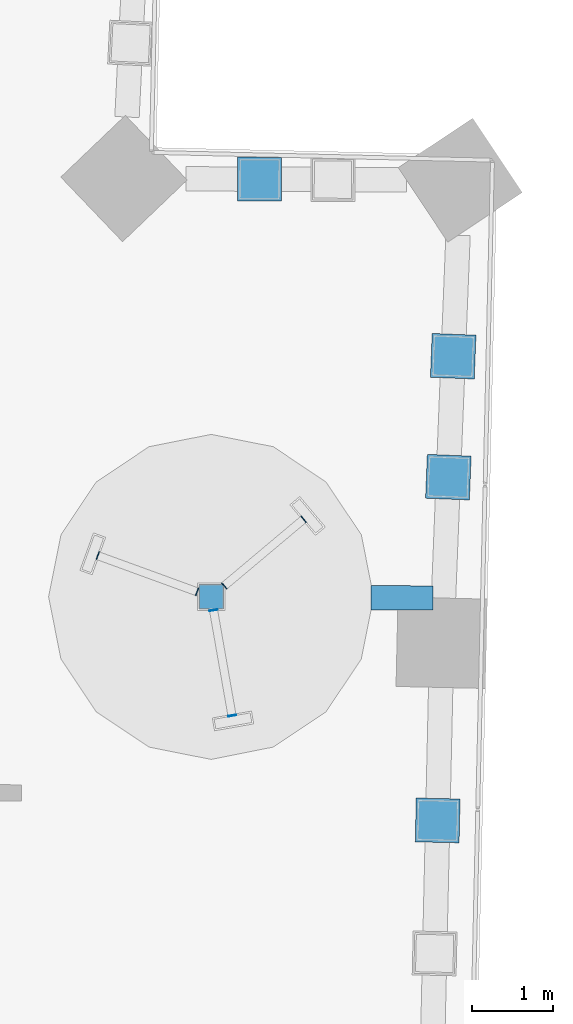
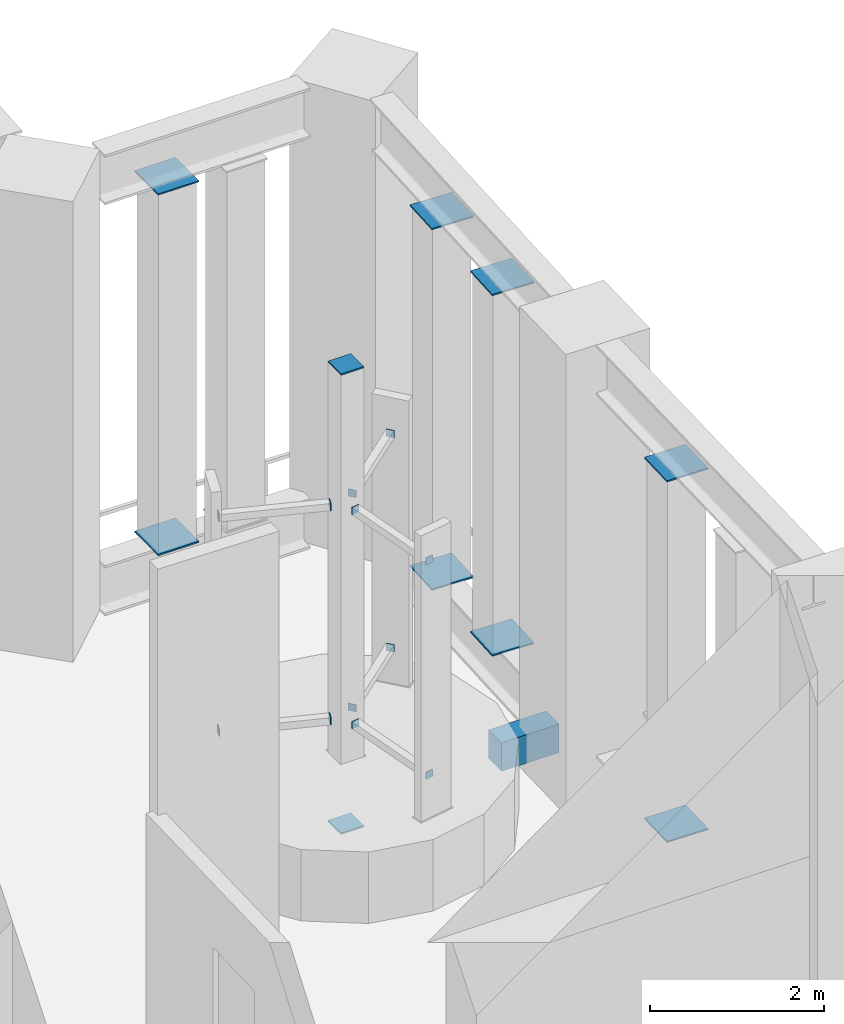
# One storey, part 26 of 33: 23 discrete accessories.
"""IFC4 building model written with IfcOpenShell, lengths in metres."""

from ifc_helpers import new_model, si_unit, direction, frame, origin, origin_2d, place, context, subcontext, project, spatial, rectangle, extrude, material, layer, layer_set, type_object, element, save


model = new_model("IFC4")

# Units and contexts
model_context = context("Model", 3, precision=1e-05, world=origin(), true_north=direction((0.0, 1.0)))
body_context = subcontext(model_context, "Body", "Model", "MODEL_VIEW")
ifc_project = project(units=[si_unit("LENGTHUNIT", "METRE"), si_unit("AREAUNIT", "SQUARE_METRE"), si_unit("VOLUMEUNIT", "CUBIC_METRE"), si_unit("PLANEANGLEUNIT", "RADIAN"), si_unit("MASSUNIT", "GRAM", prefix="KILO")], contexts=[model_context])

# Site, building, storey
site_placement = place(None, origin())
site = spatial("IfcSite", under=ifc_project, at=site_placement, CompositionType="ELEMENT")
building_placement = place(site_placement, origin())
building = spatial("IfcBuilding", under=site, at=building_placement, Name="Mangrove Gate Tower", CompositionType="ELEMENT")
storey_placement = place(building_placement, frame((0.0, 0.0, 219.5)))
storey = spatial("IfcBuildingStorey", under=building, at=storey_placement, Name="L56", CompositionType="ELEMENT", Elevation=219.5)

# Discrete accessories
ifc_material_1 = material(Name="Steel S355J2H", Category="steel")
ifc_layer_1 = layer(ifc_material_1, 0.010009765625)
ifc_layer_set_1 = layer_set([ifc_layer_1], Name="Arm end plate 100x100x10")
discrete_accessory_type_1 = type_object("IfcDiscreteAccessoryType", Name="Arm end plate 100x100x10", PredefinedType="ANCHORPLATE", material=ifc_layer_set_1)
for number, where, z_axis, x_axis, name in (
    (1, (21.3310546875, 14.658935546875, 1.449951171875), (0.0, 0.0, 1.0), (0.766044443119, 0.642787609687, 0.0), "END PLATE ARM L56 9.1.1 MAST"),
    (2, (22.30810546875, 15.47900390625, 1.449951171875), (0.0, 0.0, 1.0), (0.766044443119, 0.642787609687, 0.0), "END PLATE ARM L56 9.1.1 FIN"),
    (3, (21.3310546875, 14.658935546875, 4.449951171875), (0.0, 0.0, 1.0), (0.766044443119, 0.642787609687, 0.0), "END PLATE ARM L56 9.1.2 MAST"),
    (4, (22.30810546875, 15.47900390625, 4.449951171875), (0.0, 0.0, 1.0), (0.766044443119, 0.642787609687, 0.0), "END PLATE ARM L56 9.1.2 FIN"),
    (5, (20.9970703125, 14.5869140625, 1.449951171875), (0.0, 0.0, 1.0), (-0.939692620786, 0.342020143326, 0.0), "END PLATE ARM L56 9.2.1 MAST"),
    (6, (19.77490234375, 15.031982421875, 1.449951171875), (0.0, 0.0, 1.0), (-0.939692620786, 0.342020143326, 0.0), "END PLATE ARM L56 9.2.1 FIN"),
    (7, (20.9970703125, 14.5869140625, 4.449951171875), (0.0, 0.0, 1.0), (-0.939692620786, 0.342020143326, 0.0), "END PLATE ARM L56 9.2.2 MAST"),
    (8, (19.77490234375, 15.031982421875, 4.449951171875), (0.0, 0.0, 1.0), (-0.939692620786, 0.342020143326, 0.0), "END PLATE ARM L56 9.2.2 FIN"),
    (9, (21.198974609375, 14.360107421875, 1.449951171875), (0.0, 0.0, 1.0), (0.173648177667, -0.984807753012, 0.0), "END PLATE ARM L56 9.3.1 MAST"),
    (10, (21.427978515625, 13.06201171875, 1.449951171875), (0.0, 0.0, 1.0), (0.173648177667, -0.984807753012, 0.0), "END PLATE ARM L56 9.3.1 FIN"),
    (11, (21.198974609375, 14.360107421875, 4.449951171875), (0.0, 0.0, 1.0), (0.173648177667, -0.984807753012, 0.0), "END PLATE ARM L56 9.3.2 MAST"),
    (12, (21.427978515625, 13.06201171875, 4.449951171875), (0.0, 0.0, 1.0), (0.173648177667, -0.984807753012, 0.0), "END PLATE ARM L56 9.3.2 FIN"),
):
    element("IfcDiscreteAccessory", number, at=place(storey_placement, frame(where, z_axis=z_axis, x_axis=x_axis)), inside=storey, type_object=discrete_accessory_type_1, Name=name, PredefinedType="ANCHORPLATE", context=body_context, shape_type="SweptSolid", body=[
        extrude(rectangle(XDim=0.010009765625, YDim=0.10009765625, at=origin_2d()), origin(), (0.0, 0.0, 1.0), 0.10009765625),
    ])
ifc_material_2 = material(Name="Steel S355J2H", Category="steel")
ifc_layer_2 = layer(ifc_material_2, 0.02001953125)
ifc_layer_set_2 = layer_set([ifc_layer_2], Name="Belt truss end plate 540x540x20")
discrete_accessory_type_2 = type_object("IfcDiscreteAccessoryType", Name="Belt truss end plate 540x540x20", PredefinedType="ANCHORPLATE", material=ifc_layer_set_2)
for number, where, z_axis, x_axis, name in (
    (13, (23.958251953125, 11.77294921875, 0.68994140625), (0.0, 0.0, 1.0), (0.022789461282, 0.999740286502, 0.0), "Belt truss end plate L56 15-2 bottom"),
    (14, (23.958251953125, 11.77294921875, 5.739990234375), (0.0, 0.0, 1.0), (0.022789461282, 0.999740286502, 0.0), "Belt truss end plate L56 15-2 top"),
    (15, (24.08984375, 15.99755859375, 0.68994140625), (0.0, 0.0, 1.0), (0.040005183386, 0.999199472229, 0.0), "Belt truss end plate L56 16-1 bottom"),
    (16, (24.08984375, 15.99755859375, 5.739990234375), (0.0, 0.0, 1.0), (0.040005183386, 0.999199472229, 0.0), "Belt truss end plate L56 16-1 top"),
    (17, (24.1494140625, 17.486083984375, 0.68994140625), (0.0, 0.0, 1.0), (0.040005183386, 0.999199472229, 0.0), "Belt truss end plate L56 16-2 bottom"),
    (18, (24.1494140625, 17.486083984375, 5.739990234375), (0.0, 0.0, 1.0), (0.040005183386, 0.999199472229, 0.0), "Belt truss end plate L56 16-2 top"),
    (19, (21.765625, 19.6650390625, 0.68994140625), (0.0, 0.0, 1.0), (-0.9999887016, 0.004753595755, 0.0), "Belt truss end plate L56 17-2 bottom"),
    (20, (21.765625, 19.6650390625, 5.739990234375), (0.0, 0.0, 1.0), (-0.9999887016, 0.004753595755, 0.0), "Belt truss end plate L56 17-2 top"),
):
    element("IfcDiscreteAccessory", number, at=place(storey_placement, frame(where, z_axis=z_axis, x_axis=x_axis)), inside=storey, type_object=discrete_accessory_type_2, Name=name, PredefinedType="ANCHORPLATE", context=body_context, shape_type="SweptSolid", body=[
        extrude(rectangle(XDim=0.5400390625, YDim=0.5400390625, at=origin_2d()), origin(), (0.0, 0.0, 1.0), 0.02001953125),
    ])
ifc_material_3 = material(Name="Steel S355J2H", Category="steel")
ifc_layer_3 = layer(ifc_material_3, 0.02001953125)
ifc_layer_set_3 = layer_set([ifc_layer_3], Name="Mast end plate 300x300x20")
discrete_accessory_type_3 = type_object("IfcDiscreteAccessoryType", Name="Mast end plate 300x300x20", PredefinedType="ANCHORPLATE", material=ifc_layer_set_3)
for number, where, z_axis, x_axis, name in (
    (21, (21.169921875, 14.52392578125, 0.0), (0.0, 0.0, 1.0), (1.0, 0.0, 0.0), "END PLATE MAST L56 9 FOOT"),
    (22, (21.169921875, 14.52392578125, 6.429931640625), (0.0, 0.0, 1.0), (1.0, 0.0, 0.0), "END PLATE MAST L56 9 HEAD"),
):
    element("IfcDiscreteAccessory", number, at=place(storey_placement, frame(where, z_axis=z_axis, x_axis=x_axis)), inside=storey, type_object=discrete_accessory_type_3, Name=name, PredefinedType="ANCHORPLATE", context=body_context, shape_type="SweptSolid", body=[
        extrude(rectangle(XDim=0.300048828125, YDim=0.300048828125, at=origin_2d()), origin(), (0.0, 0.0, 1.0), 0.02001953125),
    ])
ifc_material_4 = material(Name="Steel S355J2", Category="steel")
ifc_layer_4 = layer(ifc_material_4, 0.39990234375)
ifc_layer_set_4 = layer_set([ifc_layer_4], Name="Turbine bracket")
discrete_accessory_type_4 = type_object("IfcDiscreteAccessoryType", Name="Turbine bracket", PredefinedType="BRACKET", material=ifc_layer_set_4)
discrete_accessory_placement = place(storey_placement, frame((23.52001953125, 14.51171875, 0.150146484375), z_axis=(0.0, 0.0, 1.0), x_axis=(-0.999986483484, 0.005199312416, 0.0)))
element("IfcDiscreteAccessory", 23, at=discrete_accessory_placement, inside=storey, type_object=discrete_accessory_type_4, Name="Turbine bracket GEN-L56-E9", PredefinedType="BRACKET", context=body_context, shape_type="SweptSolid", body=[
    extrude(rectangle(XDim=0.76025390625, YDim=0.300048828125, at=origin_2d()), origin(), (0.0, 0.0, 1.0), 0.39990234375),
])

save(model, "model.ifc")
